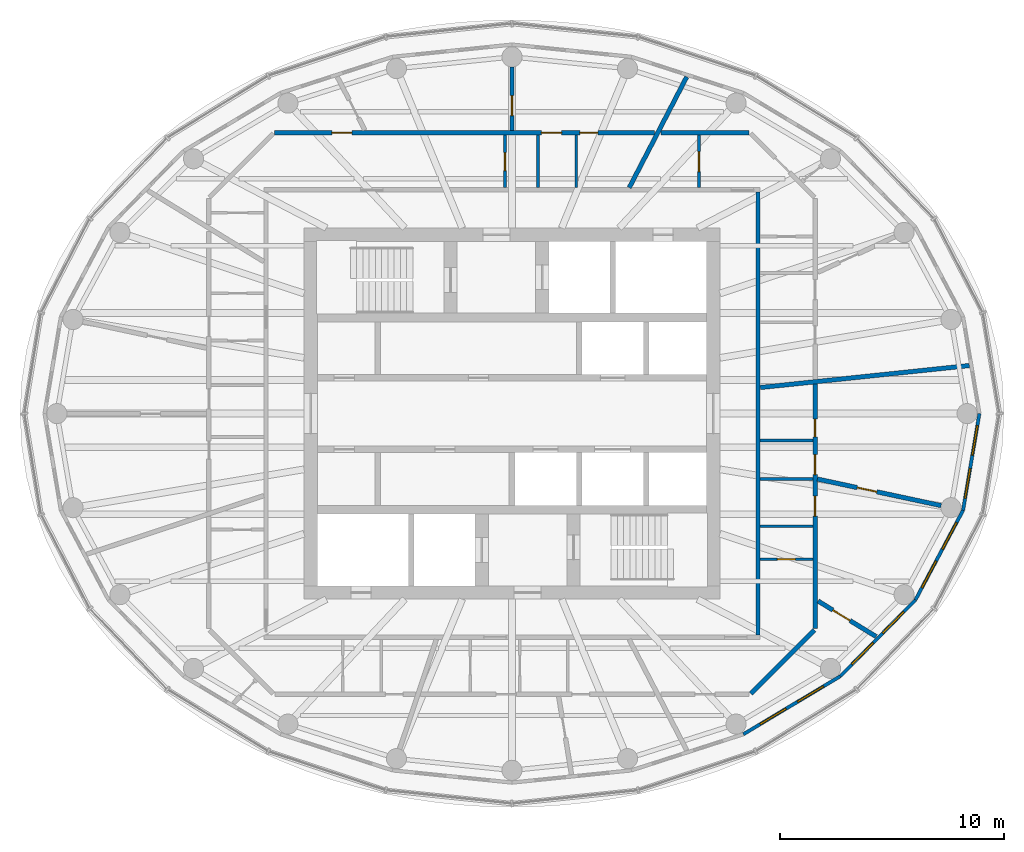
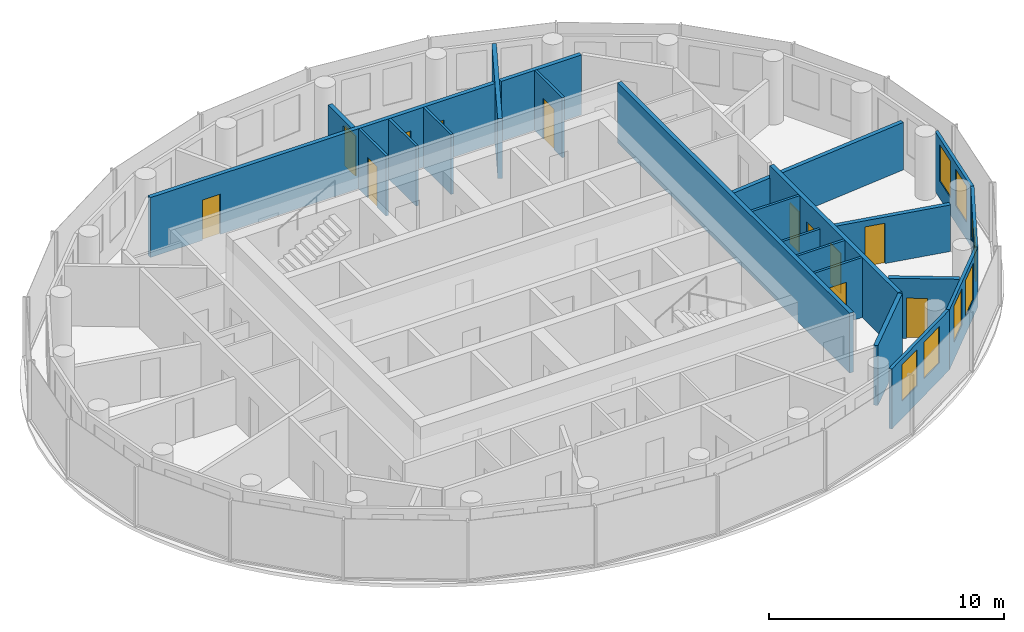
# One storey, part 8 of 11: 22 walls, 12 doors, 8 windows, 20 openings.
"""IFC4 building model written with IfcOpenShell, lengths in metres."""

import ifcopenshell
import ifcopenshell.guid

model = None  # the IFC model being written
_history = None  # IfcOwnerHistory: only IFC2X3 demands one
_inside = {}  # id of a spatial element -> (the spatial element, [elements in it])
_under = {}  # id of a project, library or spatial element -> (it, [spatial elements below it])
_declared = {}  # id of a project -> (the project, [libraries it declares])
_typed = {}  # id of a type object -> (the type object, [elements of that type])
_made_of = {}  # id of a material, layer set ... -> (it, [elements and type objects made of it])


def new_model(schema):
    """Start an empty IFC model of exactly this schema.

    Asked for "IFC4X3", IfcOpenShell would pick the latest addendum, in which some entities
    have other attributes; the version numbers below select the first issue.
    IFC2X3 requires an IfcOwnerHistory on every rooted entity: one is made here for all.
    """
    global model, _history
    if schema == "IFC4X3":
        model = ifcopenshell.file(schema_version=(4, 3, 0, 0))
    else:
        model = ifcopenshell.file(schema=schema)
    _inside.clear()
    _under.clear()
    _declared.clear()
    _typed.clear()
    _made_of.clear()
    _history = None
    if model.schema == "IFC2X3":
        org = make("IfcOrganization", Name="unknown")
        user = make(
            "IfcPersonAndOrganization",
            ThePerson=make("IfcPerson", FamilyName="unknown"),
            TheOrganization=org,
        )
        app = make(
            "IfcApplication",
            ApplicationDeveloper=org,
            Version="unknown",
            ApplicationFullName="unknown",
            ApplicationIdentifier="unknown",
        )
        _history = make(
            "IfcOwnerHistory",
            OwningUser=user,
            OwningApplication=app,
            ChangeAction="ADDED",
            CreationDate=0,
        )
    return model


def make(cls, **values):
    """One entity of the class cls with the attributes given. An attribute that is None is left unset."""
    return model.create_entity(
        cls, **{name: value for name, value in values.items() if value is not None}
    )


def rooted(cls, **values):
    """An entity with a GlobalId (a new one), such as an element, a storey or a relation."""
    return make(cls, GlobalId=ifcopenshell.guid.new(), OwnerHistory=_history, **values)


def si_unit(unit_type, name, prefix=None):
    """IfcSIUnit, for example si_unit("LENGTHUNIT", "METRE", prefix="MILLI")."""
    return make("IfcSIUnit", UnitType=unit_type, Prefix=prefix, Name=name)


def assignment(units):
    """IfcUnitAssignment: the units of a project."""
    return None if units is None else make("IfcUnitAssignment", Units=units)


def point(xyz):
    """IfcCartesianPoint."""
    return None if xyz is None else make("IfcCartesianPoint", Coordinates=xyz)


def direction(xyz):
    """IfcDirection."""
    return None if xyz is None else make("IfcDirection", DirectionRatios=xyz)


def frame(location, z_axis=None, x_axis=None):
    """IfcAxis2Placement3D, a coordinate frame: its origin and axes. An axis left out is left unset."""
    return make(
        "IfcAxis2Placement3D",
        Location=point(location),
        Axis=direction(z_axis),
        RefDirection=direction(x_axis),
    )


def frame_2d(location, x_axis=None):
    """IfcAxis2Placement2D, a coordinate frame in the plane: its origin and x axis."""
    return make(
        "IfcAxis2Placement2D", Location=point(location), RefDirection=direction(x_axis)
    )


def origin():
    """The frame at (0, 0, 0) with its axes left unset."""
    return frame((0.0, 0.0, 0.0))


def place(relative_to, where):
    """IfcLocalPlacement: puts the frame where relative to a parent placement (None: the world)."""
    return make(
        "IfcLocalPlacement", PlacementRelTo=relative_to, RelativePlacement=where
    )


def context(
    kind, dimensions, precision=None, world=None, true_north=None, identifier=None
):
    """IfcGeometricRepresentationContext, for example the 3D "Model" context."""
    return make(
        "IfcGeometricRepresentationContext",
        ContextIdentifier=identifier,
        ContextType=kind,
        CoordinateSpaceDimension=dimensions,
        Precision=precision,
        WorldCoordinateSystem=world,
        TrueNorth=true_north,
    )


def subcontext(parent, identifier, kind, view, scale=None):
    """IfcGeometricRepresentationSubContext, for example "Body" below "Model"."""
    return make(
        "IfcGeometricRepresentationSubContext",
        ContextIdentifier=identifier,
        ContextType=kind,
        ParentContext=parent,
        TargetScale=scale,
        TargetView=view,
    )


def project(units=None, contexts=None):
    """IfcProject with its units and contexts."""
    return rooted(
        "IfcProject",
        Name="project",
        RepresentationContexts=contexts,
        UnitsInContext=assignment(units),
    )


def spatial(cls, under=None, at=None, **own):
    """A site, building, storey or space (cls), placed at a placement, below another one or the project."""
    s = rooted(cls, ObjectPlacement=at, **own)
    if under is not None:
        _under.setdefault(under.id(), (under, []))[1].append(s)
    return s


def profile(cls, at=None, kind="AREA", **sizes):
    """A parametric profile (cls). Its sizes go by their IFC names, for example OverallWidth=200.0."""
    return make(cls, ProfileType=kind, Position=at, **sizes)


def rectangle(**sizes):
    """IfcRectangleProfileDef."""
    return profile("IfcRectangleProfileDef", **sizes)


def extrude(swept, where, along, depth):
    """IfcExtrudedAreaSolid: the profile swept, set in the frame where, extruded along a direction by depth."""
    return make(
        "IfcExtrudedAreaSolid",
        SweptArea=swept,
        Position=where,
        ExtrudedDirection=direction(along),
        Depth=depth,
    )


def shape(context_of_items, identifier, shape_type, items):
    """IfcShapeRepresentation: the items that make up one representation, for example the "Body"."""
    return make(
        "IfcShapeRepresentation",
        ContextOfItems=context_of_items,
        RepresentationIdentifier=identifier,
        RepresentationType=shape_type,
        Items=items,
    )


def material(Name=None, Category=None):
    """IfcMaterial."""
    return make("IfcMaterial", Name=Name, Category=Category)


def layer(
    of_material, thickness, ventilated=None, Name=None, Category=None, Priority=None
):
    """IfcMaterialLayer: one layer of a wall or slab, of a material (None: an air gap)."""
    return make(
        "IfcMaterialLayer",
        Material=of_material,
        LayerThickness=thickness,
        IsVentilated=ventilated,
        Name=Name,
        Category=Category,
        Priority=Priority,
    )


def layer_set(layers, Name=None):
    """IfcMaterialLayerSet."""
    return make("IfcMaterialLayerSet", MaterialLayers=layers, LayerSetName=Name)


def made_of(thing, what):
    """Note that an element or type object is made of a material, layer set ...; save() writes the relation."""
    if what is not None:
        _made_of.setdefault(what.id(), (what, []))[1].append(thing)
    return thing


def type_object(cls, material=None, **own):
    """A type object (cls), such as IfcWallType, which elements share."""
    return made_of(rooted(cls, **own), material)


def element(
    cls,
    number,
    at=None,
    inside=None,
    cuts=None,
    type_object=None,
    material=None,
    context=None,
    identifier="Body",
    shape_type=None,
    held_by="IfcProductDefinitionShape",
    body=None,
    shapes=None,
    **own,
):
    """One element of the class cls, such as IfcWall. Its Tag is "e" and its number.

    at: its placement. inside: the storey or other place that contains it. cuts: it is an
    opening in that element (IfcRelVoidsElement). A single representation is given by context,
    identifier, shape_type and body (its items); several are given by shapes. held_by: the class
    of the entity that holds the representations. save() writes the other relations.
    """
    e = rooted(cls, Tag="e%d" % number, ObjectPlacement=at, **own)
    if body is not None:
        shapes = [shape(context, identifier, shape_type, body)]
    if shapes is not None:
        e.Representation = make(held_by, Representations=shapes)
    if inside is not None:
        _inside.setdefault(inside.id(), (inside, []))[1].append(e)
    if cuts is not None:
        rooted(
            "IfcRelVoidsElement", RelatingBuildingElement=cuts, RelatedOpeningElement=e
        )
    if type_object is not None:
        _typed.setdefault(type_object.id(), (type_object, []))[1].append(e)
    return made_of(e, material)


def fill(opening, filler):
    """IfcRelFillsElement: the door or window that sits in an opening."""
    return rooted(
        "IfcRelFillsElement",
        RelatingOpeningElement=opening,
        RelatedBuildingElement=filler,
    )


def aggregate(whole, parts):
    """IfcRelAggregates: a whole, such as a stair, and the parts it consists of."""
    return rooted("IfcRelAggregates", RelatingObject=whole, RelatedObjects=parts)


def save(model, path):
    """Write the relations noted so far, then the file.

    IfcRelAggregates (storeys below a building ...), IfcRelContainedInSpatialStructure (elements
    in a storey), IfcRelDefinesByType, IfcRelAssociatesMaterial and IfcRelDeclares: one each for
    every whole, place, type object, material and project.
    """
    for whole, parts in _under.values():
        aggregate(whole, parts)
    for where, things in _inside.values():
        rooted(
            "IfcRelContainedInSpatialStructure",
            RelatedElements=things,
            RelatingStructure=where,
        )
    for kind, things in _typed.values():
        rooted("IfcRelDefinesByType", RelatedObjects=things, RelatingType=kind)
    for what, things in _made_of.values():
        rooted("IfcRelAssociatesMaterial", RelatedObjects=things, RelatingMaterial=what)
    for by, libraries in _declared.values():
        rooted("IfcRelDeclares", RelatingContext=by, RelatedDefinitions=libraries)
    model.write(path)


model = new_model("IFC4")

# Units and contexts
model_context = context("Model", 3, precision=1e-05, world=origin(), true_north=direction((0.0, 1.0)))
body_context = subcontext(model_context, "Body", "Model", "MODEL_VIEW")
ifc_project = project(units=[si_unit("LENGTHUNIT", "METRE"), si_unit("AREAUNIT", "SQUARE_METRE"), si_unit("VOLUMEUNIT", "CUBIC_METRE"), si_unit("PLANEANGLEUNIT", "RADIAN"), si_unit("MASSUNIT", "GRAM", prefix="KILO")], contexts=[model_context])

# Site, building, storey
site_placement = place(None, origin())
site = spatial("IfcSite", under=ifc_project, at=site_placement, CompositionType="ELEMENT")
building_placement = place(site_placement, origin())
building = spatial("IfcBuilding", under=site, at=building_placement, Name="Hankou Lantern Tower", CompositionType="ELEMENT")
storey_placement = place(building_placement, frame((0.0, 0.0, 212.699951171875)))
storey = spatial("IfcBuildingStorey", under=building, at=storey_placement, Name="L57", CompositionType="ELEMENT", Elevation=212.699951171875)

# Wall, openings, windows
ifc_material_1 = material(Name="Aluminium spandrel panel on steel studs", Category="steel")
ifc_layer_1 = layer(ifc_material_1, 0.14990234375)
ifc_layer_set_1 = layer_set([ifc_layer_1], Name="Aluminium spandrel panel on steel studs")
wall_type_1 = type_object("IfcWallType", Name="EW1 INNER SKIN WALL 150", PredefinedType="ELEMENTEDWALL", material=ifc_layer_set_1)
wall_1_placement = place(storey_placement, frame((10.346435546875, -14.33642578125, 0.0), z_axis=(0.0, 0.0, 1.0), x_axis=(0.85822150553, 0.513279502265, 0.0)))
wall_1 = element("IfcWall", 1, at=wall_1_placement, inside=storey, type_object=wall_type_1, Name="Inner skin R21-R22 L57", PredefinedType="ELEMENTEDWALL", context=body_context, shape_type="SweptSolid", body=[
    extrude(rectangle(XDim=5.050048828125, YDim=0.14990234375, at=frame_2d((2.52490234375, 0.0))), origin(), (0.0, 0.0, 1.0), 3.1201171875),
])
opening_1_placement = place(wall_1_placement, frame((0.875, 0.0, 0.89990234375)))
opening_1 = element("IfcOpeningElement", 2, at=opening_1_placement, cuts=wall_1, Name="Opening W4", PredefinedType="OPENING", context=body_context, shape_type="SweptSolid", body=[
    extrude(rectangle(XDim=1.35009765625, YDim=1.89990234375, at=frame_2d((0.675048828125, 0.949951171875))), frame((0.0, 0.0849609375, 0.0), z_axis=(0.0, -1.0, 0.0), x_axis=(1.0, 0.0, 0.0)), (0.0, 0.0, 1.0), 0.169921875),
])
opening_2_placement = place(wall_1_placement, frame((2.824951171875, 0.0, 0.89990234375)))
opening_2 = element("IfcOpeningElement", 3, at=opening_2_placement, cuts=wall_1, Name="Opening W4", PredefinedType="OPENING", context=body_context, shape_type="SweptSolid", body=[
    extrude(rectangle(XDim=1.35009765625, YDim=1.89990234375, at=frame_2d((0.675048828125, 0.949951171875))), frame((0.0, 0.0849609375, 0.0), z_axis=(0.0, -1.0, 0.0), x_axis=(1.0, 0.0, 0.0)), (0.0, 0.0, 1.0), 0.169921875),
])
ifc_material_2 = material(Name="Aluminium framed double glazed window", Category="aluminium")
window_type = type_object("IfcWindowType", Name="W4 SUITE WINDOW 1350X1900", PartitioningType="DOUBLE_PANEL_VERTICAL", PredefinedType="WINDOW", material=ifc_material_2)
window_1_placement = place(opening_1_placement, origin())
window_1 = element("IfcWindow", 4, at=window_1_placement, inside=storey, type_object=window_type, Name="Window R21.1 L57", OverallHeight=1.89990234375, OverallWidth=1.35009765625, PartitioningType="SINGLE_PANEL", PredefinedType="WINDOW", context=body_context, shape_type="SweptSolid", body=[
    extrude(rectangle(XDim=1.35009765625, YDim=1.89990234375, at=frame_2d((0.675048828125, 0.949951171875))), frame((0.0, 0.030029296875, 0.0), z_axis=(0.0, -1.0, 0.0), x_axis=(1.0, 0.0, 0.0)), (0.0, 0.0, 1.0), 0.06005859375),
])
fill(opening_1, window_1)
window_2_placement = place(opening_2_placement, origin())
window_2 = element("IfcWindow", 5, at=window_2_placement, inside=storey, type_object=window_type, Name="Window R21.2 L57", OverallHeight=1.89990234375, OverallWidth=1.35009765625, PartitioningType="SINGLE_PANEL", PredefinedType="WINDOW", context=body_context, shape_type="SweptSolid", body=[
    extrude(rectangle(XDim=1.35009765625, YDim=1.89990234375, at=frame_2d((0.675048828125, 0.949951171875))), frame((0.0, 0.030029296875, 0.0), z_axis=(0.0, -1.0, 0.0), x_axis=(1.0, 0.0, 0.0)), (0.0, 0.0, 1.0), 0.06005859375),
])
fill(opening_2, window_2)

wall_2_placement = place(storey_placement, frame((14.680419921875, -11.744384765625, 0.0), z_axis=(0.0, 0.0, 1.0), x_axis=(0.701527379618, 0.712642501993, 0.0)))
wall_2 = element("IfcWall", 6, at=wall_2_placement, inside=storey, type_object=wall_type_1, Name="Inner skin R22-R23 L57", PredefinedType="ELEMENTEDWALL", context=body_context, shape_type="SweptSolid", body=[
    extrude(rectangle(XDim=4.788330078125, YDim=0.14990234375, at=frame_2d((2.39404296875, 0.0))), origin(), (0.0, 0.0, 1.0), 3.1201171875),
])
opening_3_placement = place(wall_2_placement, frame((0.744140625, 0.0, 0.89990234375)))
opening_3 = element("IfcOpeningElement", 7, at=opening_3_placement, cuts=wall_2, Name="Opening W4", PredefinedType="OPENING", context=body_context, shape_type="SweptSolid", body=[
    extrude(rectangle(XDim=1.35009765625, YDim=1.89990234375, at=frame_2d((0.675048828125, 0.949951171875))), frame((0.0, 0.0849609375, 0.0), z_axis=(0.0, -1.0, 0.0), x_axis=(1.0, 0.0, 0.0)), (0.0, 0.0, 1.0), 0.169921875),
])
opening_4_placement = place(wall_2_placement, frame((2.694091796875, 0.0, 0.89990234375)))
opening_4 = element("IfcOpeningElement", 8, at=opening_4_placement, cuts=wall_2, Name="Opening W4", PredefinedType="OPENING", context=body_context, shape_type="SweptSolid", body=[
    extrude(rectangle(XDim=1.35009765625, YDim=1.89990234375, at=frame_2d((0.675048828125, 0.949951171875))), frame((0.0, 0.0849609375, 0.0), z_axis=(0.0, -1.0, 0.0), x_axis=(1.0, 0.0, 0.0)), (0.0, 0.0, 1.0), 0.169921875),
])
window_3_placement = place(opening_3_placement, origin())
window_3 = element("IfcWindow", 9, at=window_3_placement, inside=storey, type_object=window_type, Name="Window R22.1 L57", OverallHeight=1.89990234375, OverallWidth=1.35009765625, PartitioningType="SINGLE_PANEL", PredefinedType="WINDOW", context=body_context, shape_type="SweptSolid", body=[
    extrude(rectangle(XDim=1.35009765625, YDim=1.89990234375, at=frame_2d((0.675048828125, 0.949951171875))), frame((0.0, 0.030029296875, 0.0), z_axis=(0.0, -1.0, 0.0), x_axis=(1.0, 0.0, 0.0)), (0.0, 0.0, 1.0), 0.06005859375),
])
fill(opening_3, window_3)
window_4_placement = place(opening_4_placement, origin())
window_4 = element("IfcWindow", 10, at=window_4_placement, inside=storey, type_object=window_type, Name="Window R22.2 L57", OverallHeight=1.89990234375, OverallWidth=1.35009765625, PartitioningType="SINGLE_PANEL", PredefinedType="WINDOW", context=body_context, shape_type="SweptSolid", body=[
    extrude(rectangle(XDim=1.35009765625, YDim=1.89990234375, at=frame_2d((0.675048828125, 0.949951171875))), frame((0.0, 0.030029296875, 0.0), z_axis=(0.0, -1.0, 0.0), x_axis=(1.0, 0.0, 0.0)), (0.0, 0.0, 1.0), 0.06005859375),
])
fill(opening_4, window_4)

wall_3_placement = place(storey_placement, frame((18.03955078125, -8.33203125, 0.0), z_axis=(0.0, 0.0, 1.0), x_axis=(0.469256152955, 0.883062094597, 0.0)))
wall_3 = element("IfcWall", 11, at=wall_3_placement, inside=storey, type_object=wall_type_1, Name="Inner skin R23-R24 L57", PredefinedType="ELEMENTEDWALL", context=body_context, shape_type="SweptSolid", body=[
    extrude(rectangle(XDim=4.539306640625, YDim=0.14990234375, at=frame_2d((2.26953125, 0.0))), origin(), (0.0, 0.0, 1.0), 3.1201171875),
])
opening_5_placement = place(wall_3_placement, frame((0.61962890625, 0.0, 0.89990234375)))
opening_5 = element("IfcOpeningElement", 12, at=opening_5_placement, cuts=wall_3, Name="Opening W4", PredefinedType="OPENING", context=body_context, shape_type="SweptSolid", body=[
    extrude(rectangle(XDim=1.35009765625, YDim=1.89990234375, at=frame_2d((0.675048828125, 0.949951171875))), frame((0.0, 0.0849609375, 0.0), z_axis=(0.0, -1.0, 0.0), x_axis=(1.0, 0.0, 0.0)), (0.0, 0.0, 1.0), 0.169921875),
])
opening_6_placement = place(wall_3_placement, frame((2.569580078125, 0.0, 0.89990234375)))
opening_6 = element("IfcOpeningElement", 13, at=opening_6_placement, cuts=wall_3, Name="Opening W4", PredefinedType="OPENING", context=body_context, shape_type="SweptSolid", body=[
    extrude(rectangle(XDim=1.35009765625, YDim=1.89990234375, at=frame_2d((0.675048828125, 0.949951171875))), frame((0.0, 0.0849609375, 0.0), z_axis=(0.0, -1.0, 0.0), x_axis=(1.0, 0.0, 0.0)), (0.0, 0.0, 1.0), 0.169921875),
])
window_5_placement = place(opening_5_placement, origin())
window_5 = element("IfcWindow", 14, at=window_5_placement, inside=storey, type_object=window_type, Name="Window R23.1 L57", OverallHeight=1.89990234375, OverallWidth=1.35009765625, PartitioningType="SINGLE_PANEL", PredefinedType="WINDOW", context=body_context, shape_type="SweptSolid", body=[
    extrude(rectangle(XDim=1.35009765625, YDim=1.89990234375, at=frame_2d((0.675048828125, 0.949951171875))), frame((0.0, 0.030029296875, 0.0), z_axis=(0.0, -1.0, 0.0), x_axis=(1.0, 0.0, 0.0)), (0.0, 0.0, 1.0), 0.06005859375),
])
fill(opening_5, window_5)
window_6_placement = place(opening_6_placement, origin())
window_6 = element("IfcWindow", 15, at=window_6_placement, inside=storey, type_object=window_type, Name="Window R23.2 L57", OverallHeight=1.89990234375, OverallWidth=1.35009765625, PartitioningType="SINGLE_PANEL", PredefinedType="WINDOW", context=body_context, shape_type="SweptSolid", body=[
    extrude(rectangle(XDim=1.35009765625, YDim=1.89990234375, at=frame_2d((0.675048828125, 0.949951171875))), frame((0.0, 0.030029296875, 0.0), z_axis=(0.0, -1.0, 0.0), x_axis=(1.0, 0.0, 0.0)), (0.0, 0.0, 1.0), 0.06005859375),
])
fill(opening_6, window_6)

wall_4_placement = place(storey_placement, frame((20.169677734375, -4.323486328125, 0.0), z_axis=(0.0, 0.0, 1.0), x_axis=(0.166538513568, 0.986034950445, 0.0)))
wall_4 = element("IfcWall", 16, at=wall_4_placement, inside=storey, type_object=wall_type_1, Name="Inner skin R24-R01 L57", PredefinedType="ELEMENTEDWALL", context=body_context, shape_type="SweptSolid", body=[
    extrude(rectangle(XDim=4.384765625, YDim=0.14990234375, at=frame_2d((2.1923828125, 0.0))), origin(), (0.0, 0.0, 1.0), 3.1201171875),
])
opening_7_placement = place(wall_4_placement, frame((0.54248046875, 0.0, 0.89990234375)))
opening_7 = element("IfcOpeningElement", 17, at=opening_7_placement, cuts=wall_4, Name="Opening W4", PredefinedType="OPENING", context=body_context, shape_type="SweptSolid", body=[
    extrude(rectangle(XDim=1.35009765625, YDim=1.89990234375, at=frame_2d((0.675048828125, 0.949951171875))), frame((0.0, 0.0849609375, 0.0), z_axis=(0.0, -1.0, 0.0), x_axis=(1.0, 0.0, 0.0)), (0.0, 0.0, 1.0), 0.169921875),
])
opening_8_placement = place(wall_4_placement, frame((2.492431640625, 0.0, 0.89990234375)))
opening_8 = element("IfcOpeningElement", 18, at=opening_8_placement, cuts=wall_4, Name="Opening W4", PredefinedType="OPENING", context=body_context, shape_type="SweptSolid", body=[
    extrude(rectangle(XDim=1.35009765625, YDim=1.89990234375, at=frame_2d((0.675048828125, 0.949951171875))), frame((0.0, 0.0849609375, 0.0), z_axis=(0.0, -1.0, 0.0), x_axis=(1.0, 0.0, 0.0)), (0.0, 0.0, 1.0), 0.169921875),
])
window_7_placement = place(opening_7_placement, origin())
window_7 = element("IfcWindow", 19, at=window_7_placement, inside=storey, type_object=window_type, Name="Window R24.1 L57", OverallHeight=1.89990234375, OverallWidth=1.35009765625, PartitioningType="SINGLE_PANEL", PredefinedType="WINDOW", context=body_context, shape_type="SweptSolid", body=[
    extrude(rectangle(XDim=1.35009765625, YDim=1.89990234375, at=frame_2d((0.675048828125, 0.949951171875))), frame((0.0, 0.030029296875, 0.0), z_axis=(0.0, -1.0, 0.0), x_axis=(1.0, 0.0, 0.0)), (0.0, 0.0, 1.0), 0.06005859375),
])
fill(opening_7, window_7)
window_8_placement = place(opening_8_placement, origin())
window_8 = element("IfcWindow", 20, at=window_8_placement, inside=storey, type_object=window_type, Name="Window R24.2 L57", OverallHeight=1.89990234375, OverallWidth=1.35009765625, PartitioningType="SINGLE_PANEL", PredefinedType="WINDOW", context=body_context, shape_type="SweptSolid", body=[
    extrude(rectangle(XDim=1.35009765625, YDim=1.89990234375, at=frame_2d((0.675048828125, 0.949951171875))), frame((0.0, 0.030029296875, 0.0), z_axis=(0.0, -1.0, 0.0), x_axis=(1.0, 0.0, 0.0)), (0.0, 0.0, 1.0), 0.06005859375),
])
fill(opening_8, window_8)

# Walls
ifc_material_3 = material(Name="Masonry lightweight concrete block", Category="masonry")
ifc_layer_2 = layer(ifc_material_3, 0.199951171875)
ifc_layer_set_2 = layer_set([ifc_layer_2], Name="Masonry lightweight concrete block")
wall_type_2 = type_object("IfcWallType", Name="IW1 GUEST ROOM PARTY WALL 200", PredefinedType="PARTITIONING", material=ifc_layer_set_2)
wall_5_placement = place(storey_placement, frame((11.10009765625, 1.166015625, 0.0), z_axis=(0.0, 0.0, 1.0), x_axis=(0.994527487125, 0.104475247564, 0.0)))
element("IfcWall", 21, at=wall_5_placement, inside=storey, type_object=wall_type_2, Name="Party wall R01-R02", PredefinedType="PARTITIONING", context=body_context, shape_type="SweptSolid", body=[
    extrude(rectangle(XDim=9.401123046875, YDim=0.199951171875, at=frame_2d((4.70068359375, 0.0))), origin(), (0.0, 0.0, 1.0), 2.469970703125),
])
wall_6_placement = place(storey_placement, frame((5.2412109375, 10.10009765625, 0.0), z_axis=(0.0, 0.0, 1.0), x_axis=(0.460603196597, 0.887606160008, 0.0)))
element("IfcWall", 22, at=wall_6_placement, inside=storey, type_object=wall_type_2, Name="Party wall R05-R06", PredefinedType="PARTITIONING", context=body_context, shape_type="SweptSolid", body=[
    extrude(rectangle(XDim=5.580322265625, YDim=0.199951171875, at=frame_2d((2.7900390625, 0.0))), origin(), (0.0, 0.0, 1.0), 3.1201171875),
])
ifc_material_4 = material(Name="Masonry lightweight concrete block", Category="masonry")
ifc_layer_3 = layer(ifc_material_4, 0.199951171875)
ifc_layer_set_3 = layer_set([ifc_layer_3], Name="Masonry lightweight concrete block")
wall_type_3 = type_object("IfcWallType", Name="IW2 CORRIDOR WALL 200", PredefinedType="PARTITIONING", material=ifc_layer_set_3)
wall_7_placement = place(storey_placement, frame((11.0, -9.89990234375, 0.0), z_axis=(0.0, 0.0, 1.0), x_axis=(0.0, 1.0, 0.0)))
element("IfcWall", 23, at=wall_7_placement, inside=storey, type_object=wall_type_3, Name="Corridor wall east", PredefinedType="PARTITIONING", context=body_context, shape_type="SweptSolid", body=[
    extrude(rectangle(XDim=19.7998046875, YDim=0.199951171875, at=frame_2d((9.89990234375, 0.0))), origin(), (0.0, 0.0, 1.0), 3.1201171875),
])

# Wall, opening, door
ifc_material_5 = material(Name="Masonry lightweight concrete block", Category="masonry")
ifc_layer_4 = layer(ifc_material_5, 0.1201171875)
ifc_layer_set_4 = layer_set([ifc_layer_4], Name="Masonry lightweight concrete block")
wall_type_4 = type_object("IfcWallType", Name="IW3 BATHROOM WALL 120", PredefinedType="PARTITIONING", material=ifc_layer_set_4)
wall_8_placement = place(storey_placement, frame((8.362548828125, 10.10009765625, 0.0), z_axis=(0.0, 0.0, 1.0), x_axis=(0.0, 1.0, 0.0)))
wall_8 = element("IfcWall", 24, at=wall_8_placement, inside=storey, type_object=wall_type_4, Name="Box wall 5701 4", PredefinedType="PARTITIONING", context=body_context, shape_type="SweptSolid", body=[
    extrude(rectangle(XDim=2.349853515625, YDim=0.1201171875, at=frame_2d((1.1748046875, 0.0))), origin(), (0.0, 0.0, 1.0), 3.1201171875),
])
opening_9_placement = place(wall_8_placement, frame((0.719970703125, 0.0, 0.0)))
opening_9 = element("IfcOpeningElement", 25, at=opening_9_placement, cuts=wall_8, Name="Opening D27", PredefinedType="OPENING", context=body_context, shape_type="SweptSolid", body=[
    extrude(rectangle(XDim=0.89990234375, YDim=2.10009765625, at=frame_2d((0.449951171875, 1.050048828125))), frame((0.0, 0.070068359375, 0.0), z_axis=(0.0, -1.0, 0.0), x_axis=(1.0, 0.0, 0.0)), (0.0, 0.0, 1.0), 0.14013671875),
])
ifc_material_6 = material(Name="Timber door leaf", Category="wood")
door_type_1 = type_object("IfcDoorType", Name="D27 INTERNAL DOOR 900X2100", OperationType="SINGLE_SWING_LEFT", PredefinedType="DOOR", material=ifc_material_6)
door_1_placement = place(opening_9_placement, origin())
door_1 = element("IfcDoor", 26, at=door_1_placement, inside=storey, type_object=door_type_1, Name="Corner suite 5701 pantry door", OperationType="SINGLE_SWING_LEFT", OverallHeight=2.10009765625, OverallWidth=0.89990234375, PredefinedType="DOOR", context=body_context, shape_type="SweptSolid", body=[
    extrude(rectangle(XDim=0.89990234375, YDim=2.10009765625, at=frame_2d((0.449951171875, 1.050048828125))), frame((0.0, 0.02490234375, 0.0), z_axis=(0.0, -1.0, 0.0), x_axis=(1.0, 0.0, 0.0)), (0.0, 0.0, 1.0), 0.050048828125),
])
fill(opening_9, door_1)

# Walls
for number, where, z_axis, x_axis, name in (
    (27, (2.87890625, 10.10009765625, 0.0), (0.0, 0.0, 1.0), (0.0, 1.0, 0.0), "Box wall 5702 1"),
    (28, (1.158935546875, 10.10009765625, 0.0), (0.0, 0.0, 1.0), (0.0, 1.0, 0.0), "Box wall 5702 2"),
):
    element("IfcWall", number, at=place(storey_placement, frame(where, z_axis=z_axis, x_axis=x_axis)), inside=storey, type_object=wall_type_4, Name=name, PredefinedType="PARTITIONING", context=body_context, shape_type="SweptSolid", body=[
        extrude(rectangle(XDim=2.349853515625, YDim=0.1201171875, at=frame_2d((1.1748046875, 0.0))), origin(), (0.0, 0.0, 1.0), 3.1201171875),
    ])

# Wall, opening, door
wall_9_placement = place(storey_placement, frame((-0.31103515625, 10.10009765625, 0.0), z_axis=(0.0, 0.0, 1.0), x_axis=(0.0, 1.0, 0.0)))
wall_9 = element("IfcWall", 29, at=wall_9_placement, inside=storey, type_object=wall_type_4, Name="Box wall 5702 3", PredefinedType="PARTITIONING", context=body_context, shape_type="SweptSolid", body=[
    extrude(rectangle(XDim=2.349853515625, YDim=0.1201171875, at=frame_2d((1.1748046875, 0.0))), origin(), (0.0, 0.0, 1.0), 3.1201171875),
])
opening_10_placement = place(wall_9_placement, frame((0.77001953125, 0.0, 0.0)))
opening_10 = element("IfcOpeningElement", 30, at=opening_10_placement, cuts=wall_9, Name="Opening D3", PredefinedType="OPENING", context=body_context, shape_type="SweptSolid", body=[
    extrude(rectangle(XDim=0.800048828125, YDim=2.10009765625, at=frame_2d((0.39990234375, 1.050048828125))), frame((0.0, 0.070068359375, 0.0), z_axis=(0.0, -1.0, 0.0), x_axis=(1.0, 0.0, 0.0)), (0.0, 0.0, 1.0), 0.14013671875),
])
ifc_material_7 = material(Name="Timber door leaf", Category="wood")
door_type_2 = type_object("IfcDoorType", Name="D3 BATHROOM DOOR 800X2100", OperationType="SINGLE_SWING_LEFT", PredefinedType="DOOR", material=ifc_material_7)
door_2_placement = place(opening_10_placement, origin())
door_2 = element("IfcDoor", 31, at=door_2_placement, inside=storey, type_object=door_type_2, Name="Corner suite 5702 guest WC door", OperationType="SINGLE_SWING_LEFT", OverallHeight=2.10009765625, OverallWidth=0.800048828125, PredefinedType="DOOR", context=body_context, shape_type="SweptSolid", body=[
    extrude(rectangle(XDim=0.800048828125, YDim=2.10009765625, at=frame_2d((0.39990234375, 1.050048828125))), frame((0.0, 0.02490234375, 0.0), z_axis=(0.0, -1.0, 0.0), x_axis=(1.0, 0.0, 0.0)), (0.0, 0.0, 1.0), 0.050048828125),
])
fill(opening_10, door_2)

wall_10_placement = place(storey_placement, frame((11.10009765625, -6.513671875, 0.0), z_axis=(0.0, 0.0, 1.0), x_axis=(1.0, 0.0, 0.0)))
wall_10 = element("IfcWall", 32, at=wall_10_placement, inside=storey, type_object=wall_type_4, Name="Box wall 5706 1", PredefinedType="PARTITIONING", context=body_context, shape_type="SweptSolid", body=[
    extrude(rectangle(XDim=2.349853515625, YDim=0.1201171875, at=frame_2d((1.1748046875, 0.0))), origin(), (0.0, 0.0, 1.0), 3.1201171875),
])
opening_11_placement = place(wall_10_placement, frame((0.77001953125, 0.0, 0.0)))
opening_11 = element("IfcOpeningElement", 33, at=opening_11_placement, cuts=wall_10, Name="Opening D3", PredefinedType="OPENING", context=body_context, shape_type="SweptSolid", body=[
    extrude(rectangle(XDim=0.800048828125, YDim=2.10009765625, at=frame_2d((0.39990234375, 1.050048828125))), frame((0.0, 0.070068359375, 0.0), z_axis=(0.0, -1.0, 0.0), x_axis=(1.0, 0.0, 0.0)), (0.0, 0.0, 1.0), 0.14013671875),
])
door_3_placement = place(opening_11_placement, origin())
door_3 = element("IfcDoor", 34, at=door_3_placement, inside=storey, type_object=door_type_2, Name="Corner suite 5706 guest WC door", OperationType="SINGLE_SWING_LEFT", OverallHeight=2.10009765625, OverallWidth=0.800048828125, PredefinedType="DOOR", context=body_context, shape_type="SweptSolid", body=[
    extrude(rectangle(XDim=0.800048828125, YDim=2.10009765625, at=frame_2d((0.39990234375, 1.050048828125))), frame((0.0, 0.02490234375, 0.0), z_axis=(0.0, -1.0, 0.0), x_axis=(1.0, 0.0, 0.0)), (0.0, 0.0, 1.0), 0.050048828125),
])
fill(opening_11, door_3)

# Walls
wall_11_placement = place(storey_placement, frame((11.10009765625, -5.043701171875, 0.0), z_axis=(0.0, 0.0, 1.0), x_axis=(1.0, 0.0, 0.0)))
element("IfcWall", 35, at=wall_11_placement, inside=storey, type_object=wall_type_4, Name="Box wall 5706 2", PredefinedType="PARTITIONING", context=body_context, shape_type="SweptSolid", body=[
    extrude(rectangle(XDim=2.349853515625, YDim=0.1201171875, at=frame_2d((1.1748046875, 0.0))), origin(), (0.0, 0.0, 1.0), 3.1201171875),
])
wall_12_placement = place(storey_placement, frame((11.10009765625, -2.923583984375, 0.0), z_axis=(0.0, 0.0, 1.0), x_axis=(1.0, 0.0, 0.0)))
element("IfcWall", 36, at=wall_12_placement, inside=storey, type_object=wall_type_4, Name="Box wall 5706 3", PredefinedType="PARTITIONING", context=body_context, shape_type="SweptSolid", body=[
    extrude(rectangle(XDim=2.349853515625, YDim=0.1201171875, at=frame_2d((1.1748046875, 0.0))), origin(), (0.0, 0.0, 1.0), 2.420166015625),
])
wall_13_placement = place(storey_placement, frame((11.10009765625, -1.20361328125, 0.0), z_axis=(0.0, 0.0, 1.0), x_axis=(1.0, 0.0, 0.0)))
element("IfcWall", 37, at=wall_13_placement, inside=storey, type_object=wall_type_4, Name="Box wall 5706 4", PredefinedType="PARTITIONING", context=body_context, shape_type="SweptSolid", body=[
    extrude(rectangle(XDim=2.349853515625, YDim=0.1201171875, at=frame_2d((1.1748046875, 0.0))), origin(), (0.0, 0.0, 1.0), 3.1201171875),
])
ifc_material_8 = material(Name="Masonry lightweight concrete block", Category="masonry")
ifc_layer_5 = layer(ifc_material_8, 0.199951171875)
ifc_layer_set_5 = layer_set([ifc_layer_5], Name="Masonry lightweight concrete block")
wall_type_5 = type_object("IfcWallType", Name="IW6 SUITE PARTITION 200", PredefinedType="PARTITIONING", material=ifc_layer_set_5)
wall_14_placement = place(storey_placement, frame((10.608642578125, 12.550048828125, 0.0), z_axis=(0.0, 0.0, 1.0), x_axis=(-1.0, 0.0, 0.0)))
element("IfcWall", 38, at=wall_14_placement, inside=storey, type_object=wall_type_5, Name="Suite foyer wall 5701", PredefinedType="PARTITIONING", context=body_context, shape_type="SweptSolid", body=[
    extrude(rectangle(XDim=3.947265625, YDim=0.199951171875, at=frame_2d((1.9736328125, 0.0))), origin(), (0.0, 0.0, 1.0), 3.1201171875),
])

# Wall, openings, doors
wall_15_placement = place(storey_placement, frame((6.36376953125, 12.550048828125, 0.0), z_axis=(0.0, 0.0, 1.0), x_axis=(-1.0, 0.0, 0.0)))
wall_15 = element("IfcWall", 39, at=wall_15_placement, inside=storey, type_object=wall_type_5, Name="Suite foyer wall 5702", PredefinedType="PARTITIONING", context=body_context, shape_type="SweptSolid", body=[
    extrude(rectangle(XDim=16.972412109375, YDim=0.199951171875, at=frame_2d((8.486328125, 0.0))), origin(), (0.0, 0.0, 1.0), 3.1201171875),
])
opening_12_placement = place(wall_15_placement, frame((2.524658203125, 0.0, 0.0)))
opening_12 = element("IfcOpeningElement", 40, at=opening_12_placement, cuts=wall_15, Name="Opening D3", PredefinedType="OPENING", context=body_context, shape_type="SweptSolid", body=[
    extrude(rectangle(XDim=0.800048828125, YDim=2.10009765625, at=frame_2d((0.39990234375, 1.050048828125))), frame((0.0, 0.10986328125, 0.0), z_axis=(0.0, -1.0, 0.0), x_axis=(1.0, 0.0, 0.0)), (0.0, 0.0, 1.0), 0.219970703125),
])
opening_13_placement = place(wall_15_placement, frame((4.144775390625, 0.0, 0.0)))
opening_13 = element("IfcOpeningElement", 41, at=opening_13_placement, cuts=wall_15, Name="Opening D27", PredefinedType="OPENING", context=body_context, shape_type="SweptSolid", body=[
    extrude(rectangle(XDim=0.89990234375, YDim=2.10009765625, at=frame_2d((0.449951171875, 1.050048828125))), frame((0.0, 0.10986328125, 0.0), z_axis=(0.0, -1.0, 0.0), x_axis=(1.0, 0.0, 0.0)), (0.0, 0.0, 1.0), 0.219970703125),
])
opening_14_placement = place(wall_15_placement, frame((13.52001953125, 0.0, 0.0)))
opening_14 = element("IfcOpeningElement", 42, at=opening_14_placement, cuts=wall_15, Name="Opening D27", PredefinedType="OPENING", context=body_context, shape_type="SweptSolid", body=[
    extrude(rectangle(XDim=0.89990234375, YDim=2.10009765625, at=frame_2d((0.449951171875, 1.050048828125))), frame((0.0, 0.10986328125, 0.0), z_axis=(0.0, -1.0, 0.0), x_axis=(1.0, 0.0, 0.0)), (0.0, 0.0, 1.0), 0.219970703125),
])
door_4_placement = place(opening_13_placement, origin())
door_4 = element("IfcDoor", 43, at=door_4_placement, inside=storey, type_object=door_type_1, Name="Corner suite 5702 walk-in wardrobe door", OperationType="SINGLE_SWING_RIGHT", OverallHeight=2.10009765625, OverallWidth=0.89990234375, PredefinedType="DOOR", context=body_context, shape_type="SweptSolid", body=[
    extrude(rectangle(XDim=0.89990234375, YDim=2.10009765625, at=frame_2d((0.449951171875, 1.050048828125))), frame((0.0, 0.02490234375, 0.0), z_axis=(0.0, -1.0, 0.0), x_axis=(1.0, 0.0, 0.0)), (0.0, 0.0, 1.0), 0.050048828125),
])
fill(opening_13, door_4)
door_5_placement = place(opening_14_placement, origin())
door_5 = element("IfcDoor", 44, at=door_5_placement, inside=storey, type_object=door_type_1, Name="Corner suite 5702 living room door", OperationType="SINGLE_SWING_LEFT", OverallHeight=2.10009765625, OverallWidth=0.89990234375, PredefinedType="DOOR", context=body_context, shape_type="SweptSolid", body=[
    extrude(rectangle(XDim=0.89990234375, YDim=2.10009765625, at=frame_2d((0.449951171875, 1.050048828125))), frame((0.0, 0.02490234375, 0.0), z_axis=(0.0, -1.0, 0.0), x_axis=(1.0, 0.0, 0.0)), (0.0, 0.0, 1.0), 0.050048828125),
])
fill(opening_14, door_5)
door_6_placement = place(opening_12_placement, origin())
door_6 = element("IfcDoor", 45, at=door_6_placement, inside=storey, type_object=door_type_2, Name="Corner suite 5702 bathroom door", OperationType="SINGLE_SWING_RIGHT", OverallHeight=2.10009765625, OverallWidth=0.800048828125, PredefinedType="DOOR", context=body_context, shape_type="SweptSolid", body=[
    extrude(rectangle(XDim=0.800048828125, YDim=2.10009765625, at=frame_2d((0.39990234375, 1.050048828125))), frame((0.0, 0.02490234375, 0.0), z_axis=(0.0, -1.0, 0.0), x_axis=(1.0, 0.0, 0.0)), (0.0, 0.0, 1.0), 0.050048828125),
])
fill(opening_12, door_6)

# Wall, opening, door
wall_16_placement = place(storey_placement, frame((0.0, 12.64990234375, 0.0), z_axis=(0.0, 0.0, 1.0), x_axis=(0.0, 1.0, 0.0)))
wall_16 = element("IfcWall", 46, at=wall_16_placement, inside=storey, type_object=wall_type_5, Name="Suite partition R07", PredefinedType="PARTITIONING", context=body_context, shape_type="SweptSolid", body=[
    extrude(rectangle(XDim=2.85009765625, YDim=0.199951171875, at=frame_2d((1.425048828125, 0.0))), origin(), (0.0, 0.0, 1.0), 2.420166015625),
])
opening_15_placement = place(wall_16_placement, frame((0.669921875, 0.0, 0.0)))
opening_15 = element("IfcOpeningElement", 47, at=opening_15_placement, cuts=wall_16, Name="Opening D27", PredefinedType="OPENING", context=body_context, shape_type="SweptSolid", body=[
    extrude(rectangle(XDim=0.89990234375, YDim=2.10009765625, at=frame_2d((0.449951171875, 1.050048828125))), frame((0.0, 0.10986328125, 0.0), z_axis=(0.0, -1.0, 0.0), x_axis=(1.0, 0.0, 0.0)), (0.0, 0.0, 1.0), 0.219970703125),
])
door_7_placement = place(opening_15_placement, origin())
door_7 = element("IfcDoor", 48, at=door_7_placement, inside=storey, type_object=door_type_1, Name="Corner suite 5702 dining room door", OperationType="SINGLE_SWING_LEFT", OverallHeight=2.10009765625, OverallWidth=0.89990234375, PredefinedType="DOOR", context=body_context, shape_type="SweptSolid", body=[
    extrude(rectangle(XDim=0.89990234375, YDim=2.10009765625, at=frame_2d((0.449951171875, 1.050048828125))), frame((0.0, 0.02490234375, 0.0), z_axis=(0.0, -1.0, 0.0), x_axis=(1.0, 0.0, 0.0)), (0.0, 0.0, 1.0), 0.050048828125),
])
fill(opening_15, door_7)

# Wall
wall_17_placement = place(storey_placement, frame((10.67919921875, -12.520751953125, 0.0), z_axis=(0.0, 0.0, 1.0), x_axis=(0.707106781187, 0.707106781187, 0.0)))
element("IfcWall", 49, at=wall_17_placement, inside=storey, type_object=wall_type_5, Name="Suite foyer wall 5706", PredefinedType="PARTITIONING", context=body_context, shape_type="SweptSolid", body=[
    extrude(rectangle(XDim=4.0185546875, YDim=0.199951171875, at=frame_2d((2.00927734375, 0.0))), origin(), (0.0, 0.0, 1.0), 3.1201171875),
])

# Wall, openings, doors
wall_18_placement = place(storey_placement, frame((13.550048828125, -9.608642578125, 0.0), z_axis=(0.0, 0.0, 1.0), x_axis=(0.0, 1.0, 0.0)))
wall_18 = element("IfcWall", 50, at=wall_18_placement, inside=storey, type_object=wall_type_5, Name="Suite foyer wall 5706", PredefinedType="PARTITIONING", context=body_context, shape_type="SweptSolid", body=[
    extrude(rectangle(XDim=10.930419921875, YDim=0.199951171875, at=frame_2d((5.46533203125, 0.0))), origin(), (0.0, 0.0, 1.0), 3.1201171875),
])
opening_16_placement = place(wall_18_placement, frame((5.02001953125, 0.0, 0.0)))
opening_16 = element("IfcOpeningElement", 51, at=opening_16_placement, cuts=wall_18, Name="Opening D27", PredefinedType="OPENING", context=body_context, shape_type="SweptSolid", body=[
    extrude(rectangle(XDim=0.89990234375, YDim=2.10009765625, at=frame_2d((0.449951171875, 1.050048828125))), frame((0.0, 0.10986328125, 0.0), z_axis=(0.0, -1.0, 0.0), x_axis=(1.0, 0.0, 0.0)), (0.0, 0.0, 1.0), 0.219970703125),
])
opening_17_placement = place(wall_18_placement, frame((6.876953125, 0.0, 0.0)))
opening_17 = element("IfcOpeningElement", 52, at=opening_17_placement, cuts=wall_18, Name="Opening D27", PredefinedType="OPENING", context=body_context, shape_type="SweptSolid", body=[
    extrude(rectangle(XDim=0.89990234375, YDim=2.10009765625, at=frame_2d((0.449951171875, 1.050048828125))), frame((0.0, 0.10986328125, 0.0), z_axis=(0.0, -1.0, 0.0), x_axis=(1.0, 0.0, 0.0)), (0.0, 0.0, 1.0), 0.219970703125),
])
opening_18_placement = place(wall_18_placement, frame((8.56494140625, 0.0, 0.0)))
opening_18 = element("IfcOpeningElement", 53, at=opening_18_placement, cuts=wall_18, Name="Opening D3", PredefinedType="OPENING", context=body_context, shape_type="SweptSolid", body=[
    extrude(rectangle(XDim=0.800048828125, YDim=2.10009765625, at=frame_2d((0.39990234375, 1.050048828125))), frame((0.0, 0.10986328125, 0.0), z_axis=(0.0, -1.0, 0.0), x_axis=(1.0, 0.0, 0.0)), (0.0, 0.0, 1.0), 0.219970703125),
])
door_8_placement = place(opening_16_placement, origin())
door_8 = element("IfcDoor", 54, at=door_8_placement, inside=storey, type_object=door_type_1, Name="Corner suite 5706 pantry door", OperationType="SINGLE_SWING_LEFT", OverallHeight=2.10009765625, OverallWidth=0.89990234375, PredefinedType="DOOR", context=body_context, shape_type="SweptSolid", body=[
    extrude(rectangle(XDim=0.89990234375, YDim=2.10009765625, at=frame_2d((0.449951171875, 1.050048828125))), frame((0.0, 0.02490234375, 0.0), z_axis=(0.0, -1.0, 0.0), x_axis=(1.0, 0.0, 0.0)), (0.0, 0.0, 1.0), 0.050048828125),
])
fill(opening_16, door_8)
door_9_placement = place(opening_17_placement, origin())
door_9 = element("IfcDoor", 55, at=door_9_placement, inside=storey, type_object=door_type_1, Name="Corner suite 5706 walk-in wardrobe door", OperationType="SINGLE_SWING_LEFT", OverallHeight=2.10009765625, OverallWidth=0.89990234375, PredefinedType="DOOR", context=body_context, shape_type="SweptSolid", body=[
    extrude(rectangle(XDim=0.89990234375, YDim=2.10009765625, at=frame_2d((0.449951171875, 1.050048828125))), frame((0.0, 0.02490234375, 0.0), z_axis=(0.0, -1.0, 0.0), x_axis=(1.0, 0.0, 0.0)), (0.0, 0.0, 1.0), 0.050048828125),
])
fill(opening_17, door_9)
door_10_placement = place(opening_18_placement, origin())
door_10 = element("IfcDoor", 56, at=door_10_placement, inside=storey, type_object=door_type_2, Name="Corner suite 5706 bathroom door", OperationType="SINGLE_SWING_LEFT", OverallHeight=2.10009765625, OverallWidth=0.800048828125, PredefinedType="DOOR", context=body_context, shape_type="SweptSolid", body=[
    extrude(rectangle(XDim=0.800048828125, YDim=2.10009765625, at=frame_2d((0.39990234375, 1.050048828125))), frame((0.0, 0.02490234375, 0.0), z_axis=(0.0, -1.0, 0.0), x_axis=(1.0, 0.0, 0.0)), (0.0, 0.0, 1.0), 0.050048828125),
])
fill(opening_18, door_10)

# Wall, opening, door
wall_19_placement = place(storey_placement, frame((13.6884765625, -8.38232421875, 0.0), z_axis=(0.0, 0.0, 1.0), x_axis=(0.852783459586, -0.522264656144, 0.0)))
wall_19 = element("IfcWall", 57, at=wall_19_placement, inside=storey, type_object=wall_type_5, Name="Suite partition R22-R23", PredefinedType="PARTITIONING", context=body_context, shape_type="SweptSolid", body=[
    extrude(rectangle(XDim=3.041748046875, YDim=0.199951171875, at=frame_2d((1.52099609375, 0.0))), origin(), (0.0, 0.0, 1.0), 3.1201171875),
])
opening_19_placement = place(wall_19_placement, frame((0.77001953125, 0.0, 0.0)))
opening_19 = element("IfcOpeningElement", 58, at=opening_19_placement, cuts=wall_19, Name="Opening D27", PredefinedType="OPENING", context=body_context, shape_type="SweptSolid", body=[
    extrude(rectangle(XDim=0.89990234375, YDim=2.10009765625, at=frame_2d((0.449951171875, 1.050048828125))), frame((0.0, 0.10986328125, 0.0), z_axis=(0.0, -1.0, 0.0), x_axis=(1.0, 0.0, 0.0)), (0.0, 0.0, 1.0), 0.219970703125),
])
door_11_placement = place(opening_19_placement, origin())
door_11 = element("IfcDoor", 59, at=door_11_placement, inside=storey, type_object=door_type_1, Name="Corner suite 5706 dining room door", OperationType="SINGLE_SWING_LEFT", OverallHeight=2.10009765625, OverallWidth=0.89990234375, PredefinedType="DOOR", context=body_context, shape_type="SweptSolid", body=[
    extrude(rectangle(XDim=0.89990234375, YDim=2.10009765625, at=frame_2d((0.449951171875, 1.050048828125))), frame((0.0, 0.02490234375, 0.0), z_axis=(0.0, -1.0, 0.0), x_axis=(1.0, 0.0, 0.0)), (0.0, 0.0, 1.0), 0.050048828125),
])
fill(opening_19, door_11)

wall_20_placement = place(storey_placement, frame((13.65478515625, -2.927001953125, 0.0), z_axis=(0.0, 0.0, 1.0), x_axis=(0.977790419294, -0.209585056568, 0.0)))
wall_20 = element("IfcWall", 60, at=wall_20_placement, inside=storey, type_object=wall_type_5, Name="Suite partition R24", PredefinedType="PARTITIONING", context=body_context, shape_type="SweptSolid", body=[
    extrude(rectangle(XDim=5.66015625, YDim=0.199951171875, at=frame_2d((2.830078125, 0.0))), origin(), (0.0, 0.0, 1.0), 2.420166015625),
])
opening_20_placement = place(wall_20_placement, frame((1.820068359375, 0.0, 0.0)))
opening_20 = element("IfcOpeningElement", 61, at=opening_20_placement, cuts=wall_20, Name="Opening D27", PredefinedType="OPENING", context=body_context, shape_type="SweptSolid", body=[
    extrude(rectangle(XDim=0.89990234375, YDim=2.10009765625, at=frame_2d((0.449951171875, 1.050048828125))), frame((0.0, 0.10986328125, 0.0), z_axis=(0.0, -1.0, 0.0), x_axis=(1.0, 0.0, 0.0)), (0.0, 0.0, 1.0), 0.219970703125),
])
door_12_placement = place(opening_20_placement, origin())
door_12 = element("IfcDoor", 62, at=door_12_placement, inside=storey, type_object=door_type_1, Name="Corner suite 5706 bedroom door", OperationType="SINGLE_SWING_LEFT", OverallHeight=2.10009765625, OverallWidth=0.89990234375, PredefinedType="DOOR", context=body_context, shape_type="SweptSolid", body=[
    extrude(rectangle(XDim=0.89990234375, YDim=2.10009765625, at=frame_2d((0.449951171875, 1.050048828125))), frame((0.0, 0.02490234375, 0.0), z_axis=(0.0, -1.0, 0.0), x_axis=(1.0, 0.0, 0.0)), (0.0, 0.0, 1.0), 0.050048828125),
])
fill(opening_20, door_12)

save(model, "model.ifc")
